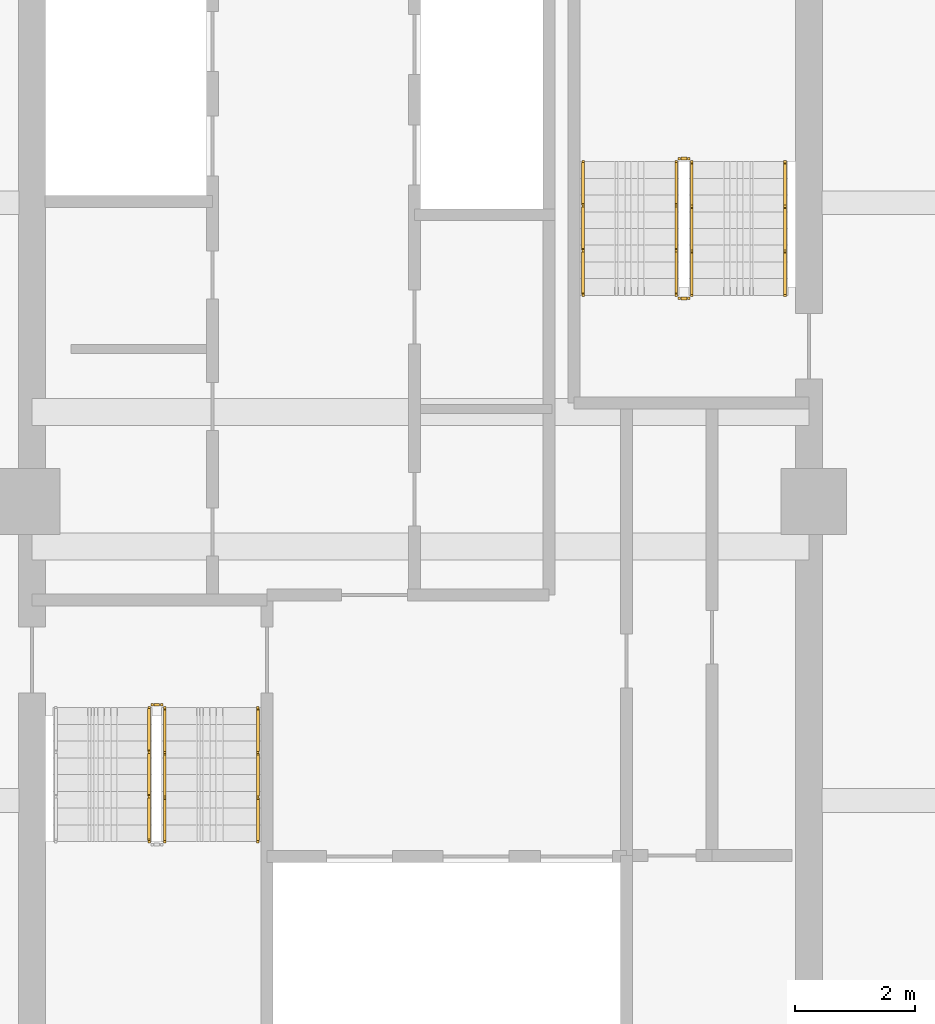
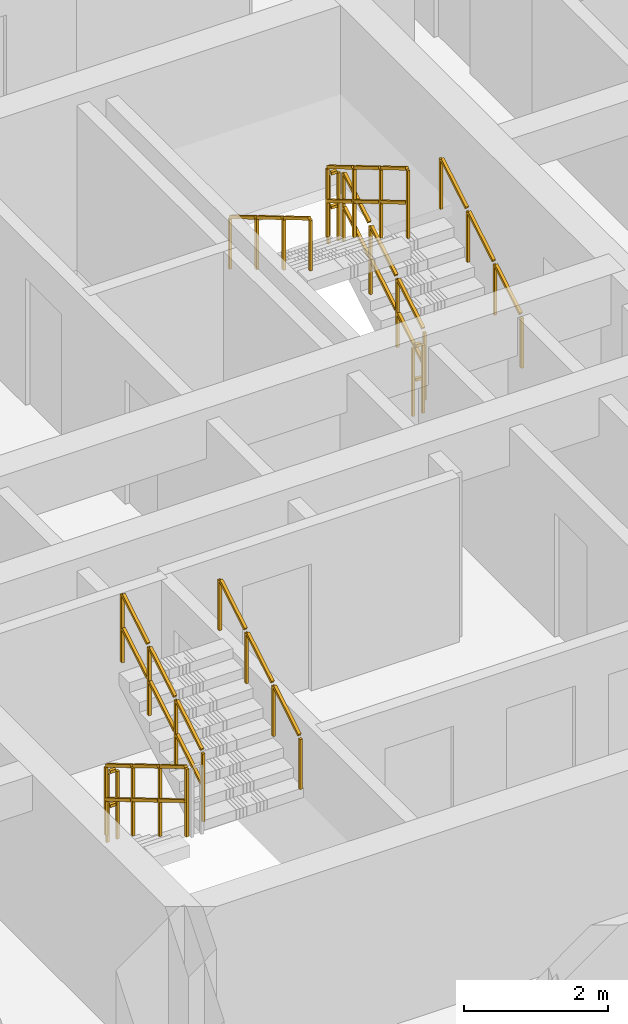
# One storey, part 20 of 22: 10 railings.
"""IFC4 building model written with IfcOpenShell, lengths in metres."""

import ifcopenshell
import ifcopenshell.guid

model = None  # the IFC model being written
_history = None  # IfcOwnerHistory: only IFC2X3 demands one
_inside = {}  # id of a spatial element -> (the spatial element, [elements in it])
_under = {}  # id of a project, library or spatial element -> (it, [spatial elements below it])
_declared = {}  # id of a project -> (the project, [libraries it declares])
_typed = {}  # id of a type object -> (the type object, [elements of that type])
_made_of = {}  # id of a material, layer set ... -> (it, [elements and type objects made of it])


def new_model(schema):
    """Start an empty IFC model of exactly this schema.

    Asked for "IFC4X3", IfcOpenShell would pick the latest addendum, in which some entities
    have other attributes; the version numbers below select the first issue.
    IFC2X3 requires an IfcOwnerHistory on every rooted entity: one is made here for all.
    """
    global model, _history
    if schema == "IFC4X3":
        model = ifcopenshell.file(schema_version=(4, 3, 0, 0))
    else:
        model = ifcopenshell.file(schema=schema)
    _inside.clear()
    _under.clear()
    _declared.clear()
    _typed.clear()
    _made_of.clear()
    _history = None
    if model.schema == "IFC2X3":
        org = make("IfcOrganization", Name="unknown")
        user = make(
            "IfcPersonAndOrganization",
            ThePerson=make("IfcPerson", FamilyName="unknown"),
            TheOrganization=org,
        )
        app = make(
            "IfcApplication",
            ApplicationDeveloper=org,
            Version="unknown",
            ApplicationFullName="unknown",
            ApplicationIdentifier="unknown",
        )
        _history = make(
            "IfcOwnerHistory",
            OwningUser=user,
            OwningApplication=app,
            ChangeAction="ADDED",
            CreationDate=0,
        )
    return model


def make(cls, **values):
    """One entity of the class cls with the attributes given. An attribute that is None is left unset."""
    return model.create_entity(
        cls, **{name: value for name, value in values.items() if value is not None}
    )


def rooted(cls, **values):
    """An entity with a GlobalId (a new one), such as an element, a storey or a relation."""
    return make(cls, GlobalId=ifcopenshell.guid.new(), OwnerHistory=_history, **values)


def si_unit(unit_type, name, prefix=None):
    """IfcSIUnit, for example si_unit("LENGTHUNIT", "METRE", prefix="MILLI")."""
    return make("IfcSIUnit", UnitType=unit_type, Prefix=prefix, Name=name)


def assignment(units):
    """IfcUnitAssignment: the units of a project."""
    return None if units is None else make("IfcUnitAssignment", Units=units)


def point(xyz):
    """IfcCartesianPoint."""
    return None if xyz is None else make("IfcCartesianPoint", Coordinates=xyz)


def direction(xyz):
    """IfcDirection."""
    return None if xyz is None else make("IfcDirection", DirectionRatios=xyz)


def frame(location, z_axis=None, x_axis=None):
    """IfcAxis2Placement3D, a coordinate frame: its origin and axes. An axis left out is left unset."""
    return make(
        "IfcAxis2Placement3D",
        Location=point(location),
        Axis=direction(z_axis),
        RefDirection=direction(x_axis),
    )


def frame_2d(location, x_axis=None):
    """IfcAxis2Placement2D, a coordinate frame in the plane: its origin and x axis."""
    return make(
        "IfcAxis2Placement2D", Location=point(location), RefDirection=direction(x_axis)
    )


def origin():
    """The frame at (0, 0, 0) with its axes left unset."""
    return frame((0.0, 0.0, 0.0))


def origin_2d():
    """The frame at (0, 0) in the plane with its x axis left unset."""
    return frame_2d((0.0, 0.0))


def place(relative_to, where):
    """IfcLocalPlacement: puts the frame where relative to a parent placement (None: the world)."""
    return make(
        "IfcLocalPlacement", PlacementRelTo=relative_to, RelativePlacement=where
    )


def context(
    kind, dimensions, precision=None, world=None, true_north=None, identifier=None
):
    """IfcGeometricRepresentationContext, for example the 3D "Model" context."""
    return make(
        "IfcGeometricRepresentationContext",
        ContextIdentifier=identifier,
        ContextType=kind,
        CoordinateSpaceDimension=dimensions,
        Precision=precision,
        WorldCoordinateSystem=world,
        TrueNorth=true_north,
    )


def subcontext(parent, identifier, kind, view, scale=None):
    """IfcGeometricRepresentationSubContext, for example "Body" below "Model"."""
    return make(
        "IfcGeometricRepresentationSubContext",
        ContextIdentifier=identifier,
        ContextType=kind,
        ParentContext=parent,
        TargetScale=scale,
        TargetView=view,
    )


def project(units=None, contexts=None):
    """IfcProject with its units and contexts."""
    return rooted(
        "IfcProject",
        Name="project",
        RepresentationContexts=contexts,
        UnitsInContext=assignment(units),
    )


def spatial(cls, under=None, at=None, **own):
    """A site, building, storey or space (cls), placed at a placement, below another one or the project."""
    s = rooted(cls, ObjectPlacement=at, **own)
    if under is not None:
        _under.setdefault(under.id(), (under, []))[1].append(s)
    return s


def profile(cls, at=None, kind="AREA", **sizes):
    """A parametric profile (cls). Its sizes go by their IFC names, for example OverallWidth=200.0."""
    return make(cls, ProfileType=kind, Position=at, **sizes)


def rectangle(**sizes):
    """IfcRectangleProfileDef."""
    return profile("IfcRectangleProfileDef", **sizes)


def extrude(swept, where, along, depth):
    """IfcExtrudedAreaSolid: the profile swept, set in the frame where, extruded along a direction by depth."""
    return make(
        "IfcExtrudedAreaSolid",
        SweptArea=swept,
        Position=where,
        ExtrudedDirection=direction(along),
        Depth=depth,
    )


def shape(context_of_items, identifier, shape_type, items):
    """IfcShapeRepresentation: the items that make up one representation, for example the "Body"."""
    return make(
        "IfcShapeRepresentation",
        ContextOfItems=context_of_items,
        RepresentationIdentifier=identifier,
        RepresentationType=shape_type,
        Items=items,
    )


def material(Name=None, Category=None):
    """IfcMaterial."""
    return make("IfcMaterial", Name=Name, Category=Category)


def made_of(thing, what):
    """Note that an element or type object is made of a material, layer set ...; save() writes the relation."""
    if what is not None:
        _made_of.setdefault(what.id(), (what, []))[1].append(thing)
    return thing


def type_object(cls, material=None, **own):
    """A type object (cls), such as IfcWallType, which elements share."""
    return made_of(rooted(cls, **own), material)


def element(
    cls,
    number,
    at=None,
    inside=None,
    cuts=None,
    type_object=None,
    material=None,
    context=None,
    identifier="Body",
    shape_type=None,
    held_by="IfcProductDefinitionShape",
    body=None,
    shapes=None,
    **own,
):
    """One element of the class cls, such as IfcWall. Its Tag is "e" and its number.

    at: its placement. inside: the storey or other place that contains it. cuts: it is an
    opening in that element (IfcRelVoidsElement). A single representation is given by context,
    identifier, shape_type and body (its items); several are given by shapes. held_by: the class
    of the entity that holds the representations. save() writes the other relations.
    """
    e = rooted(cls, Tag="e%d" % number, ObjectPlacement=at, **own)
    if body is not None:
        shapes = [shape(context, identifier, shape_type, body)]
    if shapes is not None:
        e.Representation = make(held_by, Representations=shapes)
    if inside is not None:
        _inside.setdefault(inside.id(), (inside, []))[1].append(e)
    if cuts is not None:
        rooted(
            "IfcRelVoidsElement", RelatingBuildingElement=cuts, RelatedOpeningElement=e
        )
    if type_object is not None:
        _typed.setdefault(type_object.id(), (type_object, []))[1].append(e)
    return made_of(e, material)


def aggregate(whole, parts):
    """IfcRelAggregates: a whole, such as a stair, and the parts it consists of."""
    return rooted("IfcRelAggregates", RelatingObject=whole, RelatedObjects=parts)


def save(model, path):
    """Write the relations noted so far, then the file.

    IfcRelAggregates (storeys below a building ...), IfcRelContainedInSpatialStructure (elements
    in a storey), IfcRelDefinesByType, IfcRelAssociatesMaterial and IfcRelDeclares: one each for
    every whole, place, type object, material and project.
    """
    for whole, parts in _under.values():
        aggregate(whole, parts)
    for where, things in _inside.values():
        rooted(
            "IfcRelContainedInSpatialStructure",
            RelatedElements=things,
            RelatingStructure=where,
        )
    for kind, things in _typed.values():
        rooted("IfcRelDefinesByType", RelatedObjects=things, RelatingType=kind)
    for what, things in _made_of.values():
        rooted("IfcRelAssociatesMaterial", RelatedObjects=things, RelatingMaterial=what)
    for by, libraries in _declared.values():
        rooted("IfcRelDeclares", RelatingContext=by, RelatedDefinitions=libraries)
    model.write(path)


model = new_model("IFC4")

# Units and contexts
model_context = context("Model", 3, precision=1e-05, world=origin(), true_north=direction((0.0, 1.0)))
body_context = subcontext(model_context, "Body", "Model", "MODEL_VIEW")
ifc_project = project(units=[si_unit("LENGTHUNIT", "METRE"), si_unit("AREAUNIT", "SQUARE_METRE"), si_unit("VOLUMEUNIT", "CUBIC_METRE"), si_unit("PLANEANGLEUNIT", "RADIAN"), si_unit("MASSUNIT", "GRAM", prefix="KILO")], contexts=[model_context])

# Site, building, storey
site_placement = place(None, origin())
site = spatial("IfcSite", under=ifc_project, at=site_placement, CompositionType="ELEMENT")
building_placement = place(site_placement, origin())
building = spatial("IfcBuilding", under=site, at=building_placement, Name="Saelheon Loggia Tower", CompositionType="ELEMENT")
storey_placement = place(building_placement, frame((0.0, 0.0, 176.800048828125)))
storey = spatial("IfcBuildingStorey", under=building, at=storey_placement, Name="L55", CompositionType="ELEMENT", Elevation=176.800048828125)

# Railings
ifc_material_1 = material(Name="Galvanised Steel S275 Stairwell Guardrail", Category="steel")
railing_type_1 = type_object("IfcRailingType", Name="Guard_StairWell_RL_STG", PredefinedType="GUARDRAIL", material=ifc_material_1)
railing_1_placement = place(storey_placement, frame((33.4599609375, 23.550048828125, 0.16650390625)))
element("IfcRailing", 1, at=railing_1_placement, inside=storey, type_object=railing_type_1, Name="L55 ST1 stair guard 1", PredefinedType="GUARDRAIL", context=body_context, shape_type="SweptSolid", body=[
    extrude(rectangle(XDim=0.048095703125, YDim=0.048095703125, at=origin_2d()), frame((0.0, -0.028564453125, 1.19287109375), z_axis=(0.0, -0.859264461869, 0.511531606619), x_axis=(1.0, 0.0, 0.0)), (0.0, 0.0, 1.0), 0.802490234375),
    extrude(rectangle(XDim=0.048095703125, YDim=0.048095703125, at=origin_2d()), frame((0.0, -0.028564453125, 0.616943359375), z_axis=(0.0, -0.859264461869, 0.511531606619), x_axis=(1.0, 0.0, 0.0)), (0.0, 0.0, 1.0), 0.802490234375),
    extrude(rectangle(XDim=0.048095703125, YDim=0.048095703125, at=origin_2d()), frame((0.0, -0.775146484375, 1.637451171875), z_axis=(0.0, -0.859264461869, 0.511531606619), x_axis=(1.0, 0.0, 0.0)), (0.0, 0.0, 1.0), 0.802490234375),
    extrude(rectangle(XDim=0.048095703125, YDim=0.048095703125, at=origin_2d()), frame((0.0, -0.775146484375, 1.0615234375), z_axis=(0.0, -0.859264461869, 0.511531606619), x_axis=(1.0, 0.0, 0.0)), (0.0, 0.0, 1.0), 0.802490234375),
    extrude(rectangle(XDim=0.048095703125, YDim=0.048095703125, at=origin_2d()), frame((0.0, -1.52197265625, 2.081787109375), z_axis=(0.0, -0.859264461869, 0.511531606619), x_axis=(1.0, 0.0, 0.0)), (0.0, 0.0, 1.0), 0.802490234375),
    extrude(rectangle(XDim=0.048095703125, YDim=0.048095703125, at=origin_2d()), frame((0.0, -1.52197265625, 1.505859375), z_axis=(0.0, -0.859264461869, 0.511531606619), x_axis=(1.0, 0.0, 0.0)), (0.0, 0.0, 1.0), 0.802490234375),
    extrude(rectangle(XDim=0.0419921875, YDim=0.0419921875, at=origin_2d()), origin(), (0.0, 0.0, 1.0), 1.14794921875),
    extrude(rectangle(XDim=0.0419921875, YDim=0.0419921875, at=origin_2d()), frame((0.0, -0.74658203125, 0.444580078125)), (0.0, 0.0, 1.0), 1.14794921875),
    extrude(rectangle(XDim=0.0419921875, YDim=0.0419921875, at=origin_2d()), frame((0.0, -1.493408203125, 0.888916015625)), (0.0, 0.0, 1.0), 1.14794921875),
    extrude(rectangle(XDim=0.0419921875, YDim=0.0419921875, at=origin_2d()), frame((0.0, -2.239990234375, 1.33349609375)), (0.0, 0.0, 1.0), 1.14794921875),
])
railing_2_placement = place(storey_placement, frame((33.719970703125, 21.31005859375, 1.66650390625)))
element("IfcRailing", 2, at=railing_2_placement, inside=storey, type_object=railing_type_1, Name="L55 ST1 stair guard 3", PredefinedType="GUARDRAIL", context=body_context, shape_type="SweptSolid", body=[
    extrude(rectangle(XDim=0.048095703125, YDim=0.048095703125, at=origin_2d()), frame((0.0, 0.028564453125, 1.19287109375), z_axis=(0.0, 0.859264461869, 0.511531606619), x_axis=(-1.0, 0.0, 0.0)), (0.0, 0.0, 1.0), 0.802490234375),
    extrude(rectangle(XDim=0.048095703125, YDim=0.048095703125, at=origin_2d()), frame((0.0, 0.028564453125, 0.616943359375), z_axis=(0.0, 0.859264461869, 0.511531606619), x_axis=(-1.0, 0.0, 0.0)), (0.0, 0.0, 1.0), 0.802490234375),
    extrude(rectangle(XDim=0.048095703125, YDim=0.048095703125, at=origin_2d()), frame((0.0, 0.775146484375, 1.637451171875), z_axis=(0.0, 0.859264461869, 0.511531606619), x_axis=(-1.0, 0.0, 0.0)), (0.0, 0.0, 1.0), 0.802490234375),
    extrude(rectangle(XDim=0.048095703125, YDim=0.048095703125, at=origin_2d()), frame((0.0, 0.775146484375, 1.0615234375), z_axis=(0.0, 0.859264461869, 0.511531606619), x_axis=(-1.0, 0.0, 0.0)), (0.0, 0.0, 1.0), 0.802490234375),
    extrude(rectangle(XDim=0.048095703125, YDim=0.048095703125, at=origin_2d()), frame((0.0, 1.52197265625, 2.081787109375), z_axis=(0.0, 0.859264461869, 0.511531606619), x_axis=(-1.0, 0.0, 0.0)), (0.0, 0.0, 1.0), 0.802490234375),
    extrude(rectangle(XDim=0.048095703125, YDim=0.048095703125, at=origin_2d()), frame((0.0, 1.52197265625, 1.505859375), z_axis=(0.0, 0.859264461869, 0.511531606619), x_axis=(-1.0, 0.0, 0.0)), (0.0, 0.0, 1.0), 0.802490234375),
    extrude(rectangle(XDim=0.0419921875, YDim=0.0419921875, at=origin_2d()), origin(), (0.0, 0.0, 1.0), 1.14794921875),
    extrude(rectangle(XDim=0.0419921875, YDim=0.0419921875, at=origin_2d()), frame((0.0, 0.74658203125, 0.444580078125)), (0.0, 0.0, 1.0), 1.14794921875),
    extrude(rectangle(XDim=0.0419921875, YDim=0.0419921875, at=origin_2d()), frame((0.0, 1.493408203125, 0.888916015625)), (0.0, 0.0, 1.0), 1.14794921875),
    extrude(rectangle(XDim=0.0419921875, YDim=0.0419921875, at=origin_2d()), frame((0.0, 2.239990234375, 1.33349609375)), (0.0, 0.0, 1.0), 1.14794921875),
])
railing_3_placement = place(storey_placement, frame((33.510009765625, 23.60009765625, 0.0)))
element("IfcRailing", 3, at=railing_3_placement, inside=storey, type_object=railing_type_1, Name="L55 ST1 stair guard 4", PredefinedType="GUARDRAIL", context=body_context, shape_type="SweptSolid", body=[
    extrude(rectangle(XDim=0.048095703125, YDim=0.048095703125, at=origin_2d()), frame((0.033203125, 0.0, 1.17578125), z_axis=(1.0, 0.0, 0.0), x_axis=(0.0, 1.0, 0.0)), (0.0, 0.0, 1.0), 0.093505859375),
    extrude(rectangle(XDim=0.048095703125, YDim=0.048095703125, at=origin_2d()), frame((0.033203125, 0.0, 0.60009765625), z_axis=(1.0, 0.0, 0.0), x_axis=(0.0, 1.0, 0.0)), (0.0, 0.0, 1.0), 0.093505859375),
    extrude(rectangle(XDim=0.0419921875, YDim=0.0419921875, at=origin_2d()), origin(), (0.0, 0.0, 1.0), 1.14794921875),
    extrude(rectangle(XDim=0.0419921875, YDim=0.0419921875, at=origin_2d()), frame((0.159912109375, 0.0, 0.0)), (0.0, 0.0, 1.0), 1.14794921875),
])
railing_4_placement = place(storey_placement, frame((42.5400390625, 30.449951171875, 0.16650390625)))
element("IfcRailing", 4, at=railing_4_placement, inside=storey, type_object=railing_type_1, Name="L55 ST2 stair guard 1", PredefinedType="GUARDRAIL", context=body_context, shape_type="SweptSolid", body=[
    extrude(rectangle(XDim=0.048095703125, YDim=0.048095703125, at=origin_2d()), frame((0.0, 0.028564453125, 1.19287109375), z_axis=(0.0, 0.859264461869, 0.511531606619), x_axis=(-1.0, 0.0, 0.0)), (0.0, 0.0, 1.0), 0.802490234375),
    extrude(rectangle(XDim=0.048095703125, YDim=0.048095703125, at=origin_2d()), frame((0.0, 0.028564453125, 0.616943359375), z_axis=(0.0, 0.859264461869, 0.511531606619), x_axis=(-1.0, 0.0, 0.0)), (0.0, 0.0, 1.0), 0.802490234375),
    extrude(rectangle(XDim=0.048095703125, YDim=0.048095703125, at=origin_2d()), frame((0.0, 0.775146484375, 1.637451171875), z_axis=(0.0, 0.859264461869, 0.511531606619), x_axis=(-1.0, 0.0, 0.0)), (0.0, 0.0, 1.0), 0.802490234375),
    extrude(rectangle(XDim=0.048095703125, YDim=0.048095703125, at=origin_2d()), frame((0.0, 0.775146484375, 1.0615234375), z_axis=(0.0, 0.859264461869, 0.511531606619), x_axis=(-1.0, 0.0, 0.0)), (0.0, 0.0, 1.0), 0.802490234375),
    extrude(rectangle(XDim=0.048095703125, YDim=0.048095703125, at=origin_2d()), frame((0.0, 1.52197265625, 2.081787109375), z_axis=(0.0, 0.859264461869, 0.511531606619), x_axis=(-1.0, 0.0, 0.0)), (0.0, 0.0, 1.0), 0.802490234375),
    extrude(rectangle(XDim=0.048095703125, YDim=0.048095703125, at=origin_2d()), frame((0.0, 1.52197265625, 1.505859375), z_axis=(0.0, 0.859264461869, 0.511531606619), x_axis=(-1.0, 0.0, 0.0)), (0.0, 0.0, 1.0), 0.802490234375),
    extrude(rectangle(XDim=0.0419921875, YDim=0.0419921875, at=origin_2d()), origin(), (0.0, 0.0, 1.0), 1.14794921875),
    extrude(rectangle(XDim=0.0419921875, YDim=0.0419921875, at=origin_2d()), frame((0.0, 0.74658203125, 0.444580078125)), (0.0, 0.0, 1.0), 1.14794921875),
    extrude(rectangle(XDim=0.0419921875, YDim=0.0419921875, at=origin_2d()), frame((0.0, 1.493408203125, 0.888916015625)), (0.0, 0.0, 1.0), 1.14794921875),
    extrude(rectangle(XDim=0.0419921875, YDim=0.0419921875, at=origin_2d()), frame((0.0, 2.239990234375, 1.33349609375)), (0.0, 0.0, 1.0), 1.14794921875),
])
railing_5_placement = place(storey_placement, frame((42.489990234375, 32.739990234375, 1.5)))
element("IfcRailing", 5, at=railing_5_placement, inside=storey, type_object=railing_type_1, Name="L55 ST2 stair guard 2", PredefinedType="GUARDRAIL", context=body_context, shape_type="SweptSolid", body=[
    extrude(rectangle(XDim=0.048095703125, YDim=0.048095703125, at=origin_2d()), frame((-0.033203125, 0.0, 1.17578125), z_axis=(-1.0, 0.0, 0.0), x_axis=(0.0, -1.0, 0.0)), (0.0, 0.0, 1.0), 0.093505859375),
    extrude(rectangle(XDim=0.048095703125, YDim=0.048095703125, at=origin_2d()), frame((-0.033203125, 0.0, 0.60009765625), z_axis=(-1.0, 0.0, 0.0), x_axis=(0.0, -1.0, 0.0)), (0.0, 0.0, 1.0), 0.093505859375),
    extrude(rectangle(XDim=0.0419921875, YDim=0.0419921875, at=origin_2d()), origin(), (0.0, 0.0, 1.0), 1.14794921875),
    extrude(rectangle(XDim=0.0419921875, YDim=0.0419921875, at=origin_2d()), frame((-0.159912109375, 0.0, 0.0)), (0.0, 0.0, 1.0), 1.14794921875),
])
railing_6_placement = place(storey_placement, frame((42.280029296875, 32.68994140625, 1.66650390625)))
element("IfcRailing", 6, at=railing_6_placement, inside=storey, type_object=railing_type_1, Name="L55 ST2 stair guard 3", PredefinedType="GUARDRAIL", context=body_context, shape_type="SweptSolid", body=[
    extrude(rectangle(XDim=0.048095703125, YDim=0.048095703125, at=origin_2d()), frame((0.0, -0.028564453125, 1.19287109375), z_axis=(0.0, -0.859264461869, 0.511531606619), x_axis=(1.0, 0.0, 0.0)), (0.0, 0.0, 1.0), 0.802490234375),
    extrude(rectangle(XDim=0.048095703125, YDim=0.048095703125, at=origin_2d()), frame((0.0, -0.028564453125, 0.616943359375), z_axis=(0.0, -0.859264461869, 0.511531606619), x_axis=(1.0, 0.0, 0.0)), (0.0, 0.0, 1.0), 0.802490234375),
    extrude(rectangle(XDim=0.048095703125, YDim=0.048095703125, at=origin_2d()), frame((0.0, -0.775146484375, 1.637451171875), z_axis=(0.0, -0.859264461869, 0.511531606619), x_axis=(1.0, 0.0, 0.0)), (0.0, 0.0, 1.0), 0.802490234375),
    extrude(rectangle(XDim=0.048095703125, YDim=0.048095703125, at=origin_2d()), frame((0.0, -0.775146484375, 1.0615234375), z_axis=(0.0, -0.859264461869, 0.511531606619), x_axis=(1.0, 0.0, 0.0)), (0.0, 0.0, 1.0), 0.802490234375),
    extrude(rectangle(XDim=0.048095703125, YDim=0.048095703125, at=origin_2d()), frame((0.0, -1.52197265625, 2.081787109375), z_axis=(0.0, -0.859264461869, 0.511531606619), x_axis=(1.0, 0.0, 0.0)), (0.0, 0.0, 1.0), 0.802490234375),
    extrude(rectangle(XDim=0.048095703125, YDim=0.048095703125, at=origin_2d()), frame((0.0, -1.52197265625, 1.505859375), z_axis=(0.0, -0.859264461869, 0.511531606619), x_axis=(1.0, 0.0, 0.0)), (0.0, 0.0, 1.0), 0.802490234375),
    extrude(rectangle(XDim=0.0419921875, YDim=0.0419921875, at=origin_2d()), origin(), (0.0, 0.0, 1.0), 1.14794921875),
    extrude(rectangle(XDim=0.0419921875, YDim=0.0419921875, at=origin_2d()), frame((0.0, -0.74658203125, 0.444580078125)), (0.0, 0.0, 1.0), 1.14794921875),
    extrude(rectangle(XDim=0.0419921875, YDim=0.0419921875, at=origin_2d()), frame((0.0, -1.493408203125, 0.888916015625)), (0.0, 0.0, 1.0), 1.14794921875),
    extrude(rectangle(XDim=0.0419921875, YDim=0.0419921875, at=origin_2d()), frame((0.0, -2.239990234375, 1.33349609375)), (0.0, 0.0, 1.0), 1.14794921875),
])
railing_7_placement = place(storey_placement, frame((42.489990234375, 30.39990234375, 0.0)))
element("IfcRailing", 7, at=railing_7_placement, inside=storey, type_object=railing_type_1, Name="L55 ST2 stair guard 4", PredefinedType="GUARDRAIL", context=body_context, shape_type="SweptSolid", body=[
    extrude(rectangle(XDim=0.048095703125, YDim=0.048095703125, at=origin_2d()), frame((-0.033203125, 0.0, 1.17578125), z_axis=(-1.0, 0.0, 0.0), x_axis=(0.0, -1.0, 0.0)), (0.0, 0.0, 1.0), 0.093505859375),
    extrude(rectangle(XDim=0.048095703125, YDim=0.048095703125, at=origin_2d()), frame((-0.033203125, 0.0, 0.60009765625), z_axis=(-1.0, 0.0, 0.0), x_axis=(0.0, -1.0, 0.0)), (0.0, 0.0, 1.0), 0.093505859375),
    extrude(rectangle(XDim=0.0419921875, YDim=0.0419921875, at=origin_2d()), origin(), (0.0, 0.0, 1.0), 1.14794921875),
    extrude(rectangle(XDim=0.0419921875, YDim=0.0419921875, at=origin_2d()), frame((-0.159912109375, 0.0, 0.0)), (0.0, 0.0, 1.0), 1.14794921875),
])
ifc_material_2 = material(Name="Stainless Steel 304 Tubular Handrail", Category="steel")
railing_type_2 = type_object("IfcRailingType", Name="Handrail_Stair_RL_HR1", PredefinedType="HANDRAIL", material=ifc_material_2)
for number, where, name in (
    (8, (35.280029296875, 21.31005859375, 1.66650390625), "L55 ST1 stair handrail 2"),
    (9, (44.10009765625, 30.449951171875, 0.16650390625), "L55 ST2 stair handrail 1"),
):
    element("IfcRailing", number, at=place(storey_placement, frame(where)), inside=storey, type_object=railing_type_2, Name=name, PredefinedType="HANDRAIL", context=body_context, shape_type="SweptSolid", body=[
        extrude(rectangle(XDim=0.048095703125, YDim=0.048095703125, at=origin_2d()), frame((0.0, 0.028564453125, 0.892822265625), z_axis=(0.0, 0.859264461869, 0.511531606619), x_axis=(-1.0, 0.0, 0.0)), (0.0, 0.0, 1.0), 0.802490234375),
        extrude(rectangle(XDim=0.048095703125, YDim=0.048095703125, at=origin_2d()), frame((0.0, 0.775146484375, 1.33740234375), z_axis=(0.0, 0.859264461869, 0.511531606619), x_axis=(-1.0, 0.0, 0.0)), (0.0, 0.0, 1.0), 0.802490234375),
        extrude(rectangle(XDim=0.048095703125, YDim=0.048095703125, at=origin_2d()), frame((0.0, 1.52197265625, 1.78173828125), z_axis=(0.0, 0.859264461869, 0.511531606619), x_axis=(-1.0, 0.0, 0.0)), (0.0, 0.0, 1.0), 0.802490234375),
        extrude(rectangle(XDim=0.0419921875, YDim=0.0419921875, at=origin_2d()), origin(), (0.0, 0.0, 1.0), 0.847900390625),
        extrude(rectangle(XDim=0.0419921875, YDim=0.0419921875, at=origin_2d()), frame((0.0, 0.74658203125, 0.444580078125)), (0.0, 0.0, 1.0), 0.847900390625),
        extrude(rectangle(XDim=0.0419921875, YDim=0.0419921875, at=origin_2d()), frame((0.0, 1.493408203125, 0.888916015625)), (0.0, 0.0, 1.0), 0.847900390625),
        extrude(rectangle(XDim=0.0419921875, YDim=0.0419921875, at=origin_2d()), frame((0.0, 2.239990234375, 1.33349609375)), (0.0, 0.0, 1.0), 0.847900390625),
    ])
railing_8_placement = place(storey_placement, frame((40.719970703125, 32.68994140625, 1.66650390625)))
element("IfcRailing", 10, at=railing_8_placement, inside=storey, type_object=railing_type_2, Name="L55 ST2 stair handrail 2", PredefinedType="HANDRAIL", context=body_context, shape_type="SweptSolid", body=[
    extrude(rectangle(XDim=0.048095703125, YDim=0.048095703125, at=origin_2d()), frame((0.0, -0.028564453125, 0.892822265625), z_axis=(0.0, -0.859264461869, 0.511531606619), x_axis=(1.0, 0.0, 0.0)), (0.0, 0.0, 1.0), 0.802490234375),
    extrude(rectangle(XDim=0.048095703125, YDim=0.048095703125, at=origin_2d()), frame((0.0, -0.775146484375, 1.33740234375), z_axis=(0.0, -0.859264461869, 0.511531606619), x_axis=(1.0, 0.0, 0.0)), (0.0, 0.0, 1.0), 0.802490234375),
    extrude(rectangle(XDim=0.048095703125, YDim=0.048095703125, at=origin_2d()), frame((0.0, -1.52197265625, 1.78173828125), z_axis=(0.0, -0.859264461869, 0.511531606619), x_axis=(1.0, 0.0, 0.0)), (0.0, 0.0, 1.0), 0.802490234375),
    extrude(rectangle(XDim=0.0419921875, YDim=0.0419921875, at=origin_2d()), origin(), (0.0, 0.0, 1.0), 0.847900390625),
    extrude(rectangle(XDim=0.0419921875, YDim=0.0419921875, at=origin_2d()), frame((0.0, -0.74658203125, 0.444580078125)), (0.0, 0.0, 1.0), 0.847900390625),
    extrude(rectangle(XDim=0.0419921875, YDim=0.0419921875, at=origin_2d()), frame((0.0, -1.493408203125, 0.888916015625)), (0.0, 0.0, 1.0), 0.847900390625),
    extrude(rectangle(XDim=0.0419921875, YDim=0.0419921875, at=origin_2d()), frame((0.0, -2.239990234375, 1.33349609375)), (0.0, 0.0, 1.0), 0.847900390625),
])

save(model, "model.ifc")
